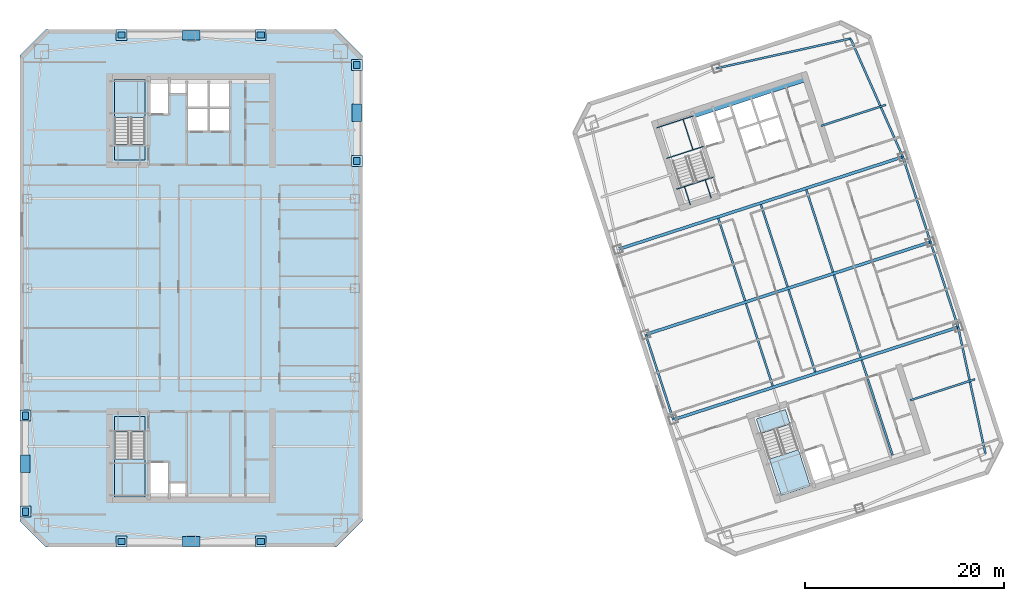
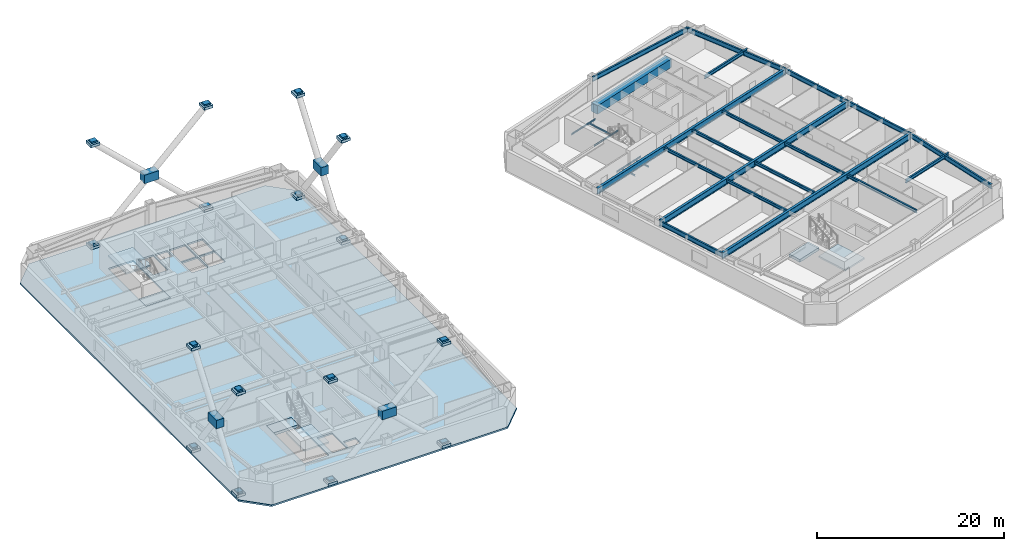
# One storey, part 4 of 14: 36 plates, 25 beams, 7 slabs, 3 elements without a shape of their own.
"""IFC4 building model written with IfcOpenShell, lengths in metres."""

from ifc_helpers import new_model, si_unit, direction, frame, origin, origin_2d, place, context, subcontext, project, spatial, polyline, rectangle, i_section, outline, extrude, material, layer, layer_set, material_profile, profile_set, type_object, element, aggregate, save


model = new_model("IFC4")

# Units and contexts
model_context = context("Model", 3, precision=1e-05, world=origin(), true_north=direction((0.0, 1.0)))
body_context = subcontext(model_context, "Body", "Model", "MODEL_VIEW")
ifc_project = project(units=[si_unit("LENGTHUNIT", "METRE"), si_unit("AREAUNIT", "SQUARE_METRE"), si_unit("VOLUMEUNIT", "CUBIC_METRE"), si_unit("PLANEANGLEUNIT", "RADIAN"), si_unit("MASSUNIT", "GRAM", prefix="KILO")], contexts=[model_context])

# Site, building, storey
site_placement = place(None, origin())
site = spatial("IfcSite", under=ifc_project, at=site_placement, CompositionType="ELEMENT")
building_placement = place(site_placement, origin())
building = spatial("IfcBuilding", under=site, at=building_placement, Name="Qiaolan Cultural Towers", CompositionType="ELEMENT")
storey_placement = place(building_placement, frame((0.0, 0.0, 159.85009765625)))
storey = spatial("IfcBuildingStorey", under=building, at=storey_placement, Name="L42", CompositionType="ELEMENT", Elevation=159.85009765625)

# Beams
ifc_material_1 = material(Name="Steel Q355B", Category="steel")
ifc_material_profile_1 = material_profile(ifc_material_1, i_section(OverallWidth=0.300048828125, OverallDepth=0.800048828125, WebThickness=0.013916015625, FlangeThickness=0.02587890625, at=origin_2d()), Name="HN800x300x14x26")
ifc_profile_set_1 = profile_set([ifc_material_profile_1], Name="Steel Q355B")
beam_type_1 = type_object("IfcBeamType", Name="BM-HN800x300x14x26", PredefinedType="BEAM", material=ifc_profile_set_1)
beam_1_placement = place(storey_placement, frame((78.4677734375, 20.789794921875, 2.789794921875), z_axis=(0.951055226628, 0.309020963535, 0.0), x_axis=(-0.309020963535, 0.951055226628, 0.0)))
element("IfcBeam", 1, at=beam_1_placement, inside=storey, type_object=beam_type_1, Name="L42 T2 Primary Transverse Girder V1", PredefinedType="BEAM", context=body_context, shape_type="SweptSolid", body=[
    extrude(i_section(OverallWidth=0.300048828125, OverallDepth=0.800048828125, WebThickness=0.013916015625, FlangeThickness=0.02587890625, at=origin_2d()), origin(), (0.0, 0.0, 1.0), 30.099853515625),
])
beam_2_placement = place(storey_placement, frame((75.6865234375, 29.349365234375, 2.789794921875), z_axis=(0.951058384903, 0.309011243331, 0.0), x_axis=(-0.309011243331, 0.951058384903, 0.0)))
element("IfcBeam", 2, at=beam_2_placement, inside=storey, type_object=beam_type_1, Name="L42 T2 Primary Transverse Girder V2", PredefinedType="BEAM", context=body_context, shape_type="SweptSolid", body=[
    extrude(i_section(OverallWidth=0.300048828125, OverallDepth=0.800048828125, WebThickness=0.013916015625, FlangeThickness=0.02587890625, at=origin_2d()), origin(), (0.0, 0.0, 1.0), 30.10009765625),
])
beam_3_placement = place(storey_placement, frame((72.905517578125, 37.90869140625, 2.789794921875), z_axis=(0.951055226628, 0.309020963535, 0.0), x_axis=(-0.309020963535, 0.951055226628, 0.0)))
element("IfcBeam", 3, at=beam_3_placement, inside=storey, type_object=beam_type_1, Name="L42 T2 Primary Transverse Girder V3", PredefinedType="BEAM", context=body_context, shape_type="SweptSolid", body=[
    extrude(i_section(OverallWidth=0.300048828125, OverallDepth=0.800048828125, WebThickness=0.013916015625, FlangeThickness=0.02587890625, at=origin_2d()), origin(), (0.0, 0.0, 1.0), 30.099853515625),
])
ifc_material_2 = material(Name="Steel Q355B", Category="steel")
ifc_material_profile_2 = material_profile(ifc_material_2, i_section(OverallWidth=0.199951171875, OverallDepth=0.39990234375, WebThickness=0.008056640625, FlangeThickness=0.012939453125, at=origin_2d()), Name="HN400x200x8x13")
ifc_profile_set_2 = profile_set([ifc_material_profile_2], Name="Steel Q355B")
beam_type_2 = type_object("IfcBeamType", Name="BM-JST-HN400x200x8x13", PredefinedType="JOIST", material=ifc_profile_set_2)
for number, where, z_axis, x_axis, name in (
    (4, (88.455078125, 24.192626953125, 2.989990234375), (-0.309020714809, 0.951055307445, 0.0), (-0.951055307445, -0.309020714809, 0.0), "L42 T2 Secondary Floor Joist U1-2"),
    (5, (85.673828125, 32.752197265625, 2.989990234375), (-0.309020714809, 0.951055307445, 0.0), (-0.951055307445, -0.309020714809, 0.0), "L42 T2 Secondary Floor Joist U1-3"),
    (6, (92.73486328125, 25.583251953125, 2.989990234375), (-0.309020714809, 0.951055307445, 0.0), (-0.951055307445, -0.309020714809, 0.0), "L42 T2 Secondary Floor Joist U2-2"),
    (7, (89.95361328125, 34.142578125, 2.989990234375), (-0.309020714809, 0.951055307445, 0.0), (-0.951055307445, -0.309020714809, 0.0), "L42 T2 Secondary Floor Joist U2-3"),
):
    element("IfcBeam", number, at=place(storey_placement, frame(where, z_axis=z_axis, x_axis=x_axis)), inside=storey, type_object=beam_type_2, Name=name, PredefinedType="JOIST", context=body_context, shape_type="SweptSolid", body=[
        extrude(i_section(OverallWidth=0.199951171875, OverallDepth=0.39990234375, WebThickness=0.008056640625, FlangeThickness=0.012939453125, at=origin_2d()), origin(), (0.0, 0.0, 1.0), 8.699951171875),
    ])
beam_4_placement = place(storey_placement, frame((100.498291015625, 17.222900390625, 2.989990234375), z_axis=(-0.309025649293, 0.951053704098, 0.0), x_axis=(-0.951053704098, -0.309025649293, 0.0)))
element("IfcBeam", 8, at=beam_4_placement, inside=storey, type_object=beam_type_2, Name="L42 T2 Secondary Floor Joist U3-1", PredefinedType="JOIST", context=body_context, shape_type="SweptSolid", body=[
    extrude(i_section(OverallWidth=0.199951171875, OverallDepth=0.39990234375, WebThickness=0.008056640625, FlangeThickness=0.012939453125, at=origin_2d()), origin(), (0.0, 0.0, 1.0), 10.050048828125),
])
for number, where, z_axis, x_axis, name in (
    (9, (97.2998046875, 27.06640625, 2.989990234375), (-0.309020714809, 0.951055307445, 0.0), (-0.951055307445, -0.309020714809, 0.0), "L42 T2 Secondary Floor Joist U3-2"),
    (10, (94.518798828125, 35.6259765625, 2.989990234375), (-0.309020714809, 0.951055307445, 0.0), (-0.951055307445, -0.309020714809, 0.0), "L42 T2 Secondary Floor Joist U3-3"),
):
    element("IfcBeam", number, at=place(storey_placement, frame(where, z_axis=z_axis, x_axis=x_axis)), inside=storey, type_object=beam_type_2, Name=name, PredefinedType="JOIST", context=body_context, shape_type="SweptSolid", body=[
        extrude(i_section(OverallWidth=0.199951171875, OverallDepth=0.39990234375, WebThickness=0.008056640625, FlangeThickness=0.012939453125, at=origin_2d()), origin(), (0.0, 0.0, 1.0), 8.699951171875),
    ])
ifc_material_3 = material(Name="Steel Q355B", Category="steel")
ifc_material_profile_3 = material_profile(ifc_material_3, i_section(OverallWidth=0.199951171875, OverallDepth=0.449951171875, WebThickness=0.009033203125, FlangeThickness=0.013916015625, at=origin_2d()), Name="HN450x200x9x14")
ifc_profile_set_3 = profile_set([ifc_material_profile_3], Name="Steel Q355B")
beam_type_3 = type_object("IfcBeamType", Name="BM-LNT-HN450x200x9x14", PredefinedType="LINTEL", material=ifc_profile_set_3)
for number, where, z_axis, x_axis, name in (
    (11, (102.279296875, 22.74365234375, 2.96484375), (0.951061565824, 0.30900145309, 0.0), (-0.30900145309, 0.951061565824, 0.0), "L42 T2 Core Flank Tie Lintel ES"),
    (12, (93.31787109375, 50.32421875, 2.96484375), (0.951061565824, 0.30900145309, 0.0), (-0.30900145309, 0.951061565824, 0.0), "L42 T2 Core Flank Tie Lintel EN"),
):
    element("IfcBeam", number, at=place(storey_placement, frame(where, z_axis=z_axis, x_axis=x_axis)), inside=storey, type_object=beam_type_3, Name=name, PredefinedType="LINTEL", context=body_context, shape_type="SweptSolid", body=[
        extrude(i_section(OverallWidth=0.199951171875, OverallDepth=0.449951171875, WebThickness=0.009033203125, FlangeThickness=0.013916015625, at=origin_2d()), origin(), (0.0, 0.0, 1.0), 6.85009765625),
    ])
ifc_material_4 = material(Name="Concrete C50", Category="concrete")
ifc_material_profile_4 = material_profile(ifc_material_4, rectangle(XDim=0.89990234375, YDim=1.10009765625, at=origin_2d()), Name="RC900x1100")
ifc_profile_set_4 = profile_set([ifc_material_profile_4], Name="Concrete C50")
beam_type_4 = type_object("IfcBeamType", Name="BM-RC900x1100", PredefinedType="BEAM", material=ifc_profile_set_4)
beam_5_placement = place(storey_placement, frame((80.427978515625, 51.551025390625, 2.639892578125), z_axis=(0.951056266386, 0.309017763514, 0.0), x_axis=(-0.309017763514, 0.951056266386, 0.0)))
element("IfcBeam", 13, at=beam_5_placement, inside=storey, type_object=beam_type_4, Name="L42 T2 Core Header Girder N", PredefinedType="BEAM", context=body_context, shape_type="SweptSolid", body=[
    extrude(rectangle(XDim=0.89990234375, YDim=1.10009765625, at=origin_2d()), origin(), (0.0, 0.0, 1.0), 11.880126953125),
])
ifc_material_5 = material(Name="Steel Q355B", Category="steel")
ifc_material_profile_5 = material_profile(ifc_material_5, i_section(OverallWidth=0.199951171875, OverallDepth=0.60009765625, WebThickness=0.010986328125, FlangeThickness=0.01708984375, at=origin_2d()), Name="HN600x200x11x17")
ifc_profile_set_5 = profile_set([ifc_material_profile_5], Name="Steel Q355B")
beam_type_5 = type_object("IfcBeamType", Name="BM-SPD-HN600x200x11x17", PredefinedType="SPANDREL", material=ifc_profile_set_5)
beam_6_placement = place(storey_placement, frame((109.834716796875, 17.38623046875, 2.889892578125), z_axis=(-0.210832241173, 0.977522258612, 0.0), x_axis=(-0.977522258612, -0.210832241173, 0.0)))
element("IfcBeam", 14, at=beam_6_placement, inside=storey, type_object=beam_type_5, Name="L42 T2 Perimeter Spandrel Beam 3", PredefinedType="SPANDREL", context=body_context, shape_type="SweptSolid", body=[
    extrude(i_section(OverallWidth=0.199951171875, OverallDepth=0.60009765625, WebThickness=0.010986328125, FlangeThickness=0.01708984375, at=origin_2d()), origin(), (0.0, 0.0, 1.0), 12.997314453125),
])
beam_7_placement = place(storey_placement, frame((107.094482421875, 30.09130859375, 2.889892578125), z_axis=(-0.309008170129, 0.951059383421, 0.0), x_axis=(-0.951059383421, -0.309008170129, 0.0)))
element("IfcBeam", 15, at=beam_7_placement, inside=storey, type_object=beam_type_5, Name="L42 T2 Perimeter Spandrel Beam 4", PredefinedType="SPANDREL", context=body_context, shape_type="SweptSolid", body=[
    extrude(i_section(OverallWidth=0.199951171875, OverallDepth=0.60009765625, WebThickness=0.010986328125, FlangeThickness=0.01708984375, at=origin_2d()), origin(), (0.0, 0.0, 1.0), 8.999755859375),
])
beam_8_placement = place(storey_placement, frame((104.3134765625, 38.650634765625, 2.889892578125), z_axis=(-0.309024734286, 0.951054001411, 0.0), x_axis=(-0.951054001411, -0.309024734286, 0.0)))
element("IfcBeam", 16, at=beam_8_placement, inside=storey, type_object=beam_type_5, Name="L42 T2 Perimeter Spandrel Beam 5", PredefinedType="SPANDREL", context=body_context, shape_type="SweptSolid", body=[
    extrude(i_section(OverallWidth=0.199951171875, OverallDepth=0.60009765625, WebThickness=0.010986328125, FlangeThickness=0.01708984375, at=origin_2d()), origin(), (0.0, 0.0, 1.0), 9.0),
])
beam_9_placement = place(storey_placement, frame((101.5322265625, 47.210205078125, 2.889892578125), z_axis=(-0.404011070002, 0.914754095545, 0.0), x_axis=(-0.914754095545, -0.404011070002, 0.0)))
element("IfcBeam", 17, at=beam_9_placement, inside=storey, type_object=beam_type_5, Name="L42 T2 Perimeter Spandrel Beam 6", PredefinedType="SPANDREL", context=body_context, shape_type="SweptSolid", body=[
    extrude(i_section(OverallWidth=0.199951171875, OverallDepth=0.60009765625, WebThickness=0.010986328125, FlangeThickness=0.01708984375, at=origin_2d()), origin(), (0.0, 0.0, 1.0), 12.9970703125),
])
beam_10_placement = place(storey_placement, frame((96.28125, 59.099365234375, 2.889892578125), z_axis=(-0.976265293399, -0.216578108094, 0.0), x_axis=(0.216578108094, -0.976265293399, 0.0)))
element("IfcBeam", 18, at=beam_10_placement, inside=storey, type_object=beam_type_5, Name="L42 T2 Perimeter Spandrel Beam 7", PredefinedType="SPANDREL", context=body_context, shape_type="SweptSolid", body=[
    extrude(i_section(OverallWidth=0.199951171875, OverallDepth=0.60009765625, WebThickness=0.010986328125, FlangeThickness=0.01708984375, at=origin_2d()), origin(), (0.0, 0.0, 1.0), 13.793212890625),
])
beam_11_placement = place(storey_placement, frame((75.6865234375, 29.349365234375, 2.889892578125), z_axis=(0.309024734286, -0.951054001411, 0.0), x_axis=(0.951054001411, 0.309024734286, 0.0)))
element("IfcBeam", 19, at=beam_11_placement, inside=storey, type_object=beam_type_5, Name="L42 T2 Perimeter Spandrel Beam 11", PredefinedType="SPANDREL", context=body_context, shape_type="SweptSolid", body=[
    extrude(i_section(OverallWidth=0.199951171875, OverallDepth=0.60009765625, WebThickness=0.010986328125, FlangeThickness=0.01708984375, at=origin_2d()), origin(), (0.0, 0.0, 1.0), 9.0),
])
ifc_material_6 = material(Name="Steel Q355B", Category="steel")
ifc_material_profile_6 = material_profile(ifc_material_6, i_section(OverallWidth=0.10009765625, OverallDepth=0.199951171875, WebThickness=0.005615234375, FlangeThickness=0.008056640625, at=origin_2d()), Name="HN200x100x5.5x8")
ifc_profile_set_6 = profile_set([ifc_material_profile_6], Name="Steel Q355B")
beam_type_6 = type_object("IfcBeamType", Name="BM-STTRIM-200", PredefinedType="BEAM", material=ifc_profile_set_6)
beam_12_placement = place(storey_placement, frame((78.773193359375, 43.958251953125, -0.460205078125), z_axis=(0.951072048947, 0.3089691857, 0.0), x_axis=(-0.3089691857, 0.951072048947, 0.0)))
element("IfcBeam", 20, at=beam_12_placement, inside=storey, type_object=beam_type_6, Name="L42 ST-E2 Floor Landing Header Beam", PredefinedType="BEAM", context=body_context, shape_type="SweptSolid", body=[
    extrude(i_section(OverallWidth=0.10009765625, OverallDepth=0.199951171875, WebThickness=0.005615234375, FlangeThickness=0.008056640625, at=origin_2d()), origin(), (0.0, 0.0, 1.0), 3.920166015625),
])
for number, where, z_axis, x_axis, name in (
    (21, (80.18115234375, 42.375732421875, -0.460205078125), (-0.308969394428, 0.951071981138, 0.0), (-0.951071981138, -0.308969394428, 0.0), "L42 ST-E2 Floor Landing Stringer 1"),
    (22, (82.2734375, 43.0556640625, -0.460205078125), (-0.308969394428, 0.951071981138, 0.0), (-0.951071981138, -0.308969394428, 0.0), "L42 ST-E2 Floor Landing Stringer 2"),
):
    element("IfcBeam", number, at=place(storey_placement, frame(where, z_axis=z_axis, x_axis=x_axis)), inside=storey, type_object=beam_type_6, Name=name, PredefinedType="BEAM", context=body_context, shape_type="SweptSolid", body=[
        extrude(i_section(OverallWidth=0.10009765625, OverallDepth=0.199951171875, WebThickness=0.005615234375, FlangeThickness=0.008056640625, at=origin_2d()), origin(), (0.0, 0.0, 1.0), 1.93994140625),
    ])
for number, where, z_axis, x_axis, name in (
    (23, (77.769287109375, 47.0478515625, 1.4248046875), (0.951053746643, 0.309025518358, 0.0), (-0.309025518358, 0.951053746643, 0.0), "L42 ST-E2 Stair Landing Support Beam 1-1"),
    (24, (76.770751953125, 50.12109375, 1.4248046875), (0.951072048947, 0.3089691857, 0.0), (-0.3089691857, 0.951072048947, 0.0), "L42 ST-E2 Stair Landing Support Beam 1-2"),
):
    element("IfcBeam", number, at=place(storey_placement, frame(where, z_axis=z_axis, x_axis=x_axis)), inside=storey, type_object=beam_type_6, Name=name, PredefinedType="BEAM", context=body_context, shape_type="SweptSolid", body=[
        extrude(i_section(OverallWidth=0.10009765625, OverallDepth=0.199951171875, WebThickness=0.005615234375, FlangeThickness=0.008056640625, at=origin_2d()), origin(), (0.0, 0.0, 1.0), 3.920166015625),
    ])
beam_13_placement = place(storey_placement, frame((80.44189453125, 47.916259765625, 1.4248046875), z_axis=(-0.309033108495, 0.951051280349, 0.0), x_axis=(-0.951051280349, -0.309033108495, 0.0)))
element("IfcBeam", 25, at=beam_13_placement, inside=storey, type_object=beam_type_6, Name="L42 ST-E2 Stair Landing Trimmer 1", PredefinedType="BEAM", context=body_context, shape_type="SweptSolid", body=[
    extrude(i_section(OverallWidth=0.10009765625, OverallDepth=0.199951171875, WebThickness=0.005615234375, FlangeThickness=0.008056640625, at=origin_2d()), origin(), (0.0, 0.0, 1.0), 3.231201171875),
])

# Plates
ifc_material_7 = material(Name="Steel Q355B", Category="steel")
ifc_layer_1 = layer(ifc_material_7, 0.035888671875)
ifc_layer_set_1 = layer_set([ifc_layer_1], Name="Steel Q355B")
plate_type_1 = type_object("IfcPlateType", Name="PL-CONN-36", PredefinedType="USERDEFINED", material=ifc_layer_set_1)
for number, where, z_axis, x_axis, name in (
    (26, (13.35009765625, 11.550048828125, -0.22021484375), (0.0, 0.0, 1.0), (0.0, 1.0, 0.0), "L42 Brace End Connection Gusset Plate GP-02-0308"),
    (27, (13.35009765625, 21.199951171875, 13.1298828125), (0.0, 0.0, 1.0), (0.0, 1.0, 0.0), "L42 Brace End Connection Gusset Plate GP-02-0309"),
    (28, (13.35009765625, 21.199951171875, -0.22021484375), (0.0, 0.0, 1.0), (0.0, 1.0, 0.0), "L42 Brace End Connection Gusset Plate GP-02-0310"),
    (29, (13.35009765625, 11.550048828125, 13.1298828125), (0.0, 0.0, 1.0), (0.0, 1.0, 0.0), "L42 Brace End Connection Gusset Plate GP-02-0311"),
    (30, (46.64990234375, 46.800048828125, -0.22021484375), (0.0, 0.0, 1.0), (0.0, 1.0, 0.0), "L42 Brace End Connection Gusset Plate GP-02-0312"),
    (31, (46.64990234375, 56.449951171875, 13.1298828125), (0.0, 0.0, 1.0), (0.0, 1.0, 0.0), "L42 Brace End Connection Gusset Plate GP-02-0313"),
    (32, (46.64990234375, 56.449951171875, -0.22021484375), (0.0, 0.0, 1.0), (0.0, 1.0, 0.0), "L42 Brace End Connection Gusset Plate GP-02-0314"),
    (33, (46.64990234375, 46.800048828125, 13.1298828125), (0.0, 0.0, 1.0), (0.0, 1.0, 0.0), "L42 Brace End Connection Gusset Plate GP-02-0315"),
    (34, (23.0, 8.550048828125, -0.22021484375), (0.0, 0.0, 1.0), (1.0, 0.0, 0.0), "L42 Brace End Connection Gusset Plate GP-02-0316"),
    (35, (37.0, 8.550048828125, 13.1298828125), (0.0, 0.0, 1.0), (1.0, 0.0, 0.0), "L42 Brace End Connection Gusset Plate GP-02-0317"),
    (36, (37.0, 8.550048828125, -0.22021484375), (0.0, 0.0, 1.0), (1.0, 0.0, 0.0), "L42 Brace End Connection Gusset Plate GP-02-0318"),
    (37, (23.0, 8.550048828125, 13.1298828125), (0.0, 0.0, 1.0), (1.0, 0.0, 0.0), "L42 Brace End Connection Gusset Plate GP-02-0319"),
    (38, (23.0, 59.449951171875, -0.22021484375), (0.0, 0.0, 1.0), (1.0, 0.0, 0.0), "L42 Brace End Connection Gusset Plate GP-02-0320"),
    (39, (37.0, 59.449951171875, 13.1298828125), (0.0, 0.0, 1.0), (1.0, 0.0, 0.0), "L42 Brace End Connection Gusset Plate GP-02-0321"),
    (40, (37.0, 59.449951171875, -0.22021484375), (0.0, 0.0, 1.0), (1.0, 0.0, 0.0), "L42 Brace End Connection Gusset Plate GP-02-0322"),
    (41, (23.0, 59.449951171875, 13.1298828125), (0.0, 0.0, 1.0), (1.0, 0.0, 0.0), "L42 Brace End Connection Gusset Plate GP-02-0323"),
):
    element("IfcPlate", number, at=place(storey_placement, frame(where, z_axis=z_axis, x_axis=x_axis)), inside=storey, type_object=plate_type_1, Name=name, ObjectType="GUSSET_PLATE", PredefinedType="USERDEFINED", context=body_context, shape_type="SweptSolid", body=[
        extrude(rectangle(XDim=0.739990234375, YDim=0.6201171875, at=origin_2d()), origin(), (0.0, 0.0, 1.0), 0.739990234375),
    ])
ifc_material_8 = material(Name="Steel Q355B", Category="steel")
ifc_layer_2 = layer(ifc_material_8, 0.030029296875)
ifc_layer_set_2 = layer_set([ifc_layer_2], Name="Steel Q355B")
plate_type_2 = type_object("IfcPlateType", Name="PL-ENDCAP-30", PredefinedType="USERDEFINED", material=ifc_layer_set_2)
for number, where, z_axis, x_axis, name in (
    (42, (13.35009765625, 11.550048828125, -0.025146484375), (0.0, 0.0, 1.0), (0.0, 1.0, 0.0), "Hollow Brace End Seal Cap Plate CP-01"),
    (43, (13.35009765625, 21.199951171875, -0.025146484375), (0.0, 0.0, 1.0), (0.0, 1.0, 0.0), "Hollow Brace End Seal Cap Plate CP-01"),
    (44, (13.35009765625, 11.550048828125, 13.324951171875), (0.0, 0.0, 1.0), (0.0, 1.0, 0.0), "Hollow Brace End Seal Cap Plate CP-01"),
    (45, (13.35009765625, 21.199951171875, 13.324951171875), (0.0, 0.0, 1.0), (0.0, 1.0, 0.0), "Hollow Brace End Seal Cap Plate CP-01"),
    (46, (46.64990234375, 46.800048828125, -0.025146484375), (0.0, 0.0, 1.0), (0.0, 1.0, 0.0), "Hollow Brace End Seal Cap Plate CP-01"),
    (47, (46.64990234375, 56.449951171875, -0.025146484375), (0.0, 0.0, 1.0), (0.0, 1.0, 0.0), "Hollow Brace End Seal Cap Plate CP-01"),
    (48, (46.64990234375, 46.800048828125, 13.324951171875), (0.0, 0.0, 1.0), (0.0, 1.0, 0.0), "Hollow Brace End Seal Cap Plate CP-01"),
    (49, (46.64990234375, 56.449951171875, 13.324951171875), (0.0, 0.0, 1.0), (0.0, 1.0, 0.0), "Hollow Brace End Seal Cap Plate CP-01"),
    (50, (23.0, 8.550048828125, -0.025146484375), (0.0, 0.0, 1.0), (1.0, 0.0, 0.0), "Hollow Brace End Seal Cap Plate CP-01"),
    (51, (37.0, 8.550048828125, -0.025146484375), (0.0, 0.0, 1.0), (1.0, 0.0, 0.0), "Hollow Brace End Seal Cap Plate CP-01"),
    (52, (23.0, 8.550048828125, 13.324951171875), (0.0, 0.0, 1.0), (1.0, 0.0, 0.0), "Hollow Brace End Seal Cap Plate CP-01"),
    (53, (37.0, 8.550048828125, 13.324951171875), (0.0, 0.0, 1.0), (1.0, 0.0, 0.0), "Hollow Brace End Seal Cap Plate CP-01"),
    (54, (23.0, 59.449951171875, -0.025146484375), (0.0, 0.0, 1.0), (1.0, 0.0, 0.0), "Hollow Brace End Seal Cap Plate CP-01"),
    (55, (37.0, 59.449951171875, -0.025146484375), (0.0, 0.0, 1.0), (1.0, 0.0, 0.0), "Hollow Brace End Seal Cap Plate CP-01"),
    (56, (23.0, 59.449951171875, 13.324951171875), (0.0, 0.0, 1.0), (1.0, 0.0, 0.0), "Hollow Brace End Seal Cap Plate CP-01"),
    (57, (37.0, 59.449951171875, 13.324951171875), (0.0, 0.0, 1.0), (1.0, 0.0, 0.0), "Hollow Brace End Seal Cap Plate CP-01"),
):
    element("IfcPlate", number, at=place(storey_placement, frame(where, z_axis=z_axis, x_axis=x_axis)), inside=storey, type_object=plate_type_2, Name=name, ObjectType="BASE_PLATE", PredefinedType="USERDEFINED", context=body_context, shape_type="SweptSolid", body=[
        extrude(rectangle(XDim=1.10009765625, YDim=1.10009765625, at=origin_2d()), origin(), (0.0, 0.0, 1.0), 0.35009765625),
    ])
ifc_material_9 = material(Name="Steel Q390GJB", Category="steel")
ifc_layer_3 = layer(ifc_material_9, 0.0439453125)
ifc_layer_set_3 = layer_set([ifc_layer_3], Name="Steel Q390GJB")
plate_type_3 = type_object("IfcPlateType", Name="PL-NODE-ND02", PredefinedType="USERDEFINED", material=ifc_layer_set_3)
plate_1_placement = place(storey_placement, frame((13.35009765625, 16.375, 6.27490234375), z_axis=(0.0, 0.0, 1.0), x_axis=(0.0, 1.0, 0.0)))
element("IfcPlate", 58, at=plate_1_placement, inside=storey, type_object=plate_type_3, Name="Perimeter Frame Gusset Node Assembly ND-02", ObjectType="GUSSET_PLATE", PredefinedType="USERDEFINED", context=body_context, shape_type="SweptSolid", body=[
    extrude(rectangle(XDim=1.760009765625, YDim=0.9599609375, at=origin_2d()), origin(), (0.0, 0.0, 1.0), 1.10009765625),
])
ifc_material_10 = material(Name="Steel Q390GJB", Category="steel")
ifc_layer_4 = layer(ifc_material_10, 0.0458984375)
ifc_layer_set_4 = layer_set([ifc_layer_4], Name="Steel Q390GJB")
plate_type_4 = type_object("IfcPlateType", Name="PL-NODE-ND03", PredefinedType="USERDEFINED", material=ifc_layer_set_4)
plate_2_placement = place(storey_placement, frame((46.64990234375, 51.625, 6.27490234375), z_axis=(0.0, 0.0, 1.0), x_axis=(0.0, 1.0, 0.0)))
element("IfcPlate", 59, at=plate_2_placement, inside=storey, type_object=plate_type_4, Name="Perimeter Frame Gusset Node Assembly ND-03", ObjectType="GUSSET_PLATE", PredefinedType="USERDEFINED", context=body_context, shape_type="SweptSolid", body=[
    extrude(rectangle(XDim=1.760009765625, YDim=0.9599609375, at=origin_2d()), origin(), (0.0, 0.0, 1.0), 1.10009765625),
])
ifc_material_11 = material(Name="Steel Q390GJB", Category="steel")
ifc_layer_5 = layer(ifc_material_11, 0.0400390625)
ifc_layer_set_5 = layer_set([ifc_layer_5], Name="Steel Q390GJB")
plate_type_5 = type_object("IfcPlateType", Name="PL-NODE-ND04", PredefinedType="USERDEFINED", material=ifc_layer_set_5)
plate_3_placement = place(storey_placement, frame((30.0, 8.550048828125, 6.27490234375), z_axis=(0.0, 0.0, 1.0), x_axis=(1.0, 0.0, 0.0)))
element("IfcPlate", 60, at=plate_3_placement, inside=storey, type_object=plate_type_5, Name="Perimeter Frame Gusset Node Assembly ND-04", ObjectType="GUSSET_PLATE", PredefinedType="USERDEFINED", context=body_context, shape_type="SweptSolid", body=[
    extrude(rectangle(XDim=1.760009765625, YDim=0.9599609375, at=origin_2d()), origin(), (0.0, 0.0, 1.0), 1.10009765625),
])
ifc_material_12 = material(Name="Steel Q390GJB", Category="steel")
ifc_layer_6 = layer(ifc_material_12, 0.0419921875)
ifc_layer_set_6 = layer_set([ifc_layer_6], Name="Steel Q390GJB")
plate_type_6 = type_object("IfcPlateType", Name="PL-NODE-ND05", PredefinedType="USERDEFINED", material=ifc_layer_set_6)
plate_4_placement = place(storey_placement, frame((30.0, 59.449951171875, 6.27490234375), z_axis=(0.0, 0.0, 1.0), x_axis=(1.0, 0.0, 0.0)))
element("IfcPlate", 61, at=plate_4_placement, inside=storey, type_object=plate_type_6, Name="Perimeter Frame Gusset Node Assembly ND-05", ObjectType="GUSSET_PLATE", PredefinedType="USERDEFINED", context=body_context, shape_type="SweptSolid", body=[
    extrude(rectangle(XDim=1.760009765625, YDim=0.9599609375, at=origin_2d()), origin(), (0.0, 0.0, 1.0), 1.10009765625),
])

# Stair, slab
ifc_material_13 = material(Name="Concrete C45", Category="concrete")
stair_type = type_object("IfcStairType", Name="STR-CORE-1500", PredefinedType="HALF_TURN_STAIR", material=ifc_material_13)
stair_1_placement = place(storey_placement, origin())
stair_1 = element("IfcStair", 62, at=stair_1_placement, inside=storey, type_object=stair_type, Name="L42 Smokeproof Exit Stair ST-W1", PredefinedType="HALF_TURN_STAIR")
ifc_material_14 = material(Name="Concrete C45", Category="concrete")
ifc_layer_7 = layer(ifc_material_14, 0.199951171875)
ifc_layer_set_7 = layer_set([ifc_layer_7], Name="Concrete C45")
slab_type_1 = type_object("IfcSlabType", Name="SL-STAIR-LAND", PredefinedType="LANDING", material=ifc_layer_set_7)
slab_1_placement = place(storey_placement, frame((0.0, 0.0, 1.52490234375)))
slab_1 = element("IfcSlab", 63, at=slab_1_placement, type_object=slab_type_1, Name="ST-W1 landing 1", PredefinedType="LANDING", context=body_context, shape_type="SweptSolid", body=[
    extrude(outline(polyline([(22.300048828125, 16.851318359375), (22.300048828125, 13.0), (25.3798828125, 13.0), (25.3798828125, 16.851318359375), (22.300048828125, 16.851318359375)])), origin(), (0.0, 0.0, 1.0), 0.199951171875),
])
aggregate(stair_1, [slab_1])

stair_2_placement = place(storey_placement, origin())
stair_2 = element("IfcStair", 64, at=stair_2_placement, inside=storey, type_object=stair_type, Name="L42 Smokeproof Exit Stair ST-W2", PredefinedType="HALF_TURN_STAIR")
slab_2_placement = place(storey_placement, frame((0.0, 0.0, 1.52490234375)))
slab_2 = element("IfcSlab", 65, at=slab_2_placement, type_object=slab_type_1, Name="ST-W2 landing 1", PredefinedType="LANDING", context=body_context, shape_type="SweptSolid", body=[
    extrude(outline(polyline([(25.3798828125, 51.148681640625), (25.3798828125, 55.0), (22.300048828125, 55.0), (22.300048828125, 51.148681640625), (25.3798828125, 51.148681640625)])), origin(), (0.0, 0.0, 1.0), 0.199951171875),
])
aggregate(stair_2, [slab_2])

stair_3_placement = place(storey_placement, origin())
stair_3 = element("IfcStair", 66, at=stair_3_placement, inside=storey, type_object=stair_type, Name="L42 Smokeproof Exit Stair ST-E1", PredefinedType="HALF_TURN_STAIR")
slab_3_placement = place(storey_placement, frame((0.0, 0.0, 1.52490234375)))
slab_3 = element("IfcSlab", 67, at=slab_3_placement, type_object=slab_type_1, Name="ST-E1 landing 1", PredefinedType="LANDING", context=body_context, shape_type="SweptSolid", body=[
    extrude(outline(polyline([(88.114013671875, 16.828125), (89.30419921875, 13.165283203125), (92.2333984375, 14.116943359375), (91.04345703125, 17.77978515625), (88.114013671875, 16.828125)])), origin(), (0.0, 0.0, 1.0), 0.199951171875),
])
aggregate(stair_3, [slab_3])

# Slabs
ifc_material_15 = material(Name="Concrete C40", Category="concrete")
ifc_layer_8 = layer(ifc_material_15, 0.360107421875)
ifc_layer_set_8 = layer_set([ifc_layer_8], Name="Concrete C40")
slab_type_2 = type_object("IfcSlabType", Name="SL-STFLR-360", PredefinedType="LANDING", material=ifc_layer_set_8)
slab_4_placement = place(storey_placement, frame((0.0, 0.0, -0.360107421875)))
element("IfcSlab", 68, at=slab_4_placement, inside=storey, type_object=slab_type_2, Name="L42 ST-W1 Stair Floor Landing Slab", PredefinedType="LANDING", context=body_context, shape_type="SweptSolid", body=[
    extrude(outline(polyline([(22.302001953125, 21.097900390625), (22.302001953125, 19.548583984375), (25.3779296875, 19.548583984375), (25.3779296875, 21.097900390625), (22.302001953125, 21.097900390625)])), origin(), (0.0, 0.0, 1.0), 0.360107421875),
])
slab_5_placement = place(storey_placement, frame((0.0, 0.0, -0.360107421875)))
element("IfcSlab", 69, at=slab_5_placement, inside=storey, type_object=slab_type_2, Name="L42 ST-W2 Stair Floor Landing Slab", PredefinedType="LANDING", context=body_context, shape_type="SweptSolid", body=[
    extrude(outline(polyline([(25.3779296875, 46.902099609375), (25.3779296875, 48.451416015625), (22.302001953125, 48.451416015625), (22.302001953125, 46.902099609375), (25.3779296875, 46.902099609375)])), origin(), (0.0, 0.0, 1.0), 0.360107421875),
])
slab_6_placement = place(storey_placement, frame((0.0, 0.0, -0.360107421875)))
element("IfcSlab", 70, at=slab_6_placement, inside=storey, type_object=slab_type_2, Name="L42 ST-E1 Stair Floor Landing Slab", PredefinedType="LANDING", context=body_context, shape_type="SweptSolid", body=[
    extrude(outline(polyline([(86.8037109375, 20.867431640625), (87.282470703125, 19.39404296875), (90.2080078125, 20.3447265625), (89.729248046875, 21.818115234375), (86.8037109375, 20.867431640625)])), origin(), (0.0, 0.0, 1.0), 0.360107421875),
])
ifc_material_16 = material(Name="Concrete C45", Category="concrete")
ifc_layer_9 = layer(ifc_material_16, 0.219970703125)
ifc_layer_set_9 = layer_set([ifc_layer_9], Name="Concrete C45")
slab_type_3 = type_object("IfcSlabType", Name="SL-TYP-220", PredefinedType="FLOOR", material=ifc_layer_set_9)
slab_7_placement = place(storey_placement, frame((0.0, 0.0, -0.22021484375)))
element("IfcSlab", 71, at=slab_7_placement, inside=storey, type_object=slab_type_3, Name="L42 West Tower Floor Slab", PredefinedType="FLOOR", context=body_context, shape_type="SweptSolid", body=[
    extrude(outline(polyline([(15.39990234375, 8.0), (44.60009765625, 8.0), (47.199951171875, 10.60009765625), (47.199951171875, 57.39990234375), (44.60009765625, 60.0), (15.39990234375, 60.0), (12.800048828125, 57.39990234375), (12.800048828125, 10.60009765625), (15.39990234375, 8.0)]), holes=[polyline([(22.300048828125, 21.10009765625), (22.300048828125, 13.0), (25.3798828125, 13.0), (25.3798828125, 21.10009765625), (22.300048828125, 21.10009765625)]), polyline([(25.3798828125, 46.89990234375), (25.3798828125, 55.0), (22.300048828125, 55.0), (22.300048828125, 46.89990234375), (25.3798828125, 46.89990234375)]), polyline([(25.89990234375, 13.199951171875), (27.75, 13.199951171875), (27.75, 16.449951171875), (25.89990234375, 16.449951171875), (25.89990234375, 13.199951171875)]), polyline([(27.93994140625, 13.25), (29.449951171875, 13.25), (29.449951171875, 14.419921875), (27.93994140625, 14.419921875), (27.93994140625, 13.25)]), polyline([(25.89990234375, 51.550048828125), (27.75, 51.550048828125), (27.75, 54.800048828125), (25.89990234375, 54.800048828125), (25.89990234375, 51.550048828125)]), polyline([(27.93994140625, 53.580078125), (29.449951171875, 53.580078125), (29.449951171875, 54.75), (27.93994140625, 54.75), (27.93994140625, 53.580078125)]), polyline([(29.679931640625, 49.820068359375), (31.679931640625, 49.820068359375), (31.679931640625, 52.080078125), (29.679931640625, 52.080078125), (29.679931640625, 49.820068359375)]), polyline([(31.8798828125, 49.820068359375), (33.820068359375, 49.820068359375), (33.820068359375, 52.080078125), (31.8798828125, 52.080078125), (31.8798828125, 49.820068359375)]), polyline([(29.679931640625, 52.27001953125), (31.659912109375, 52.27001953125), (31.659912109375, 54.75), (29.679931640625, 54.75), (29.679931640625, 52.27001953125)]), polyline([(31.8798828125, 52.27001953125), (33.820068359375, 52.27001953125), (33.820068359375, 54.75), (31.8798828125, 54.75), (31.8798828125, 52.27001953125)])]), origin(), (0.0, 0.0, 1.0), 0.22021484375),
])

save(model, "model.ifc")
